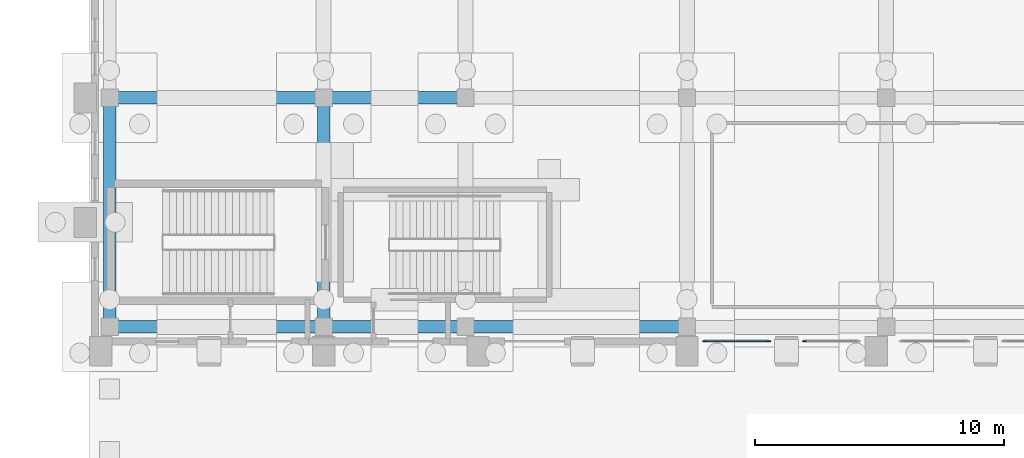
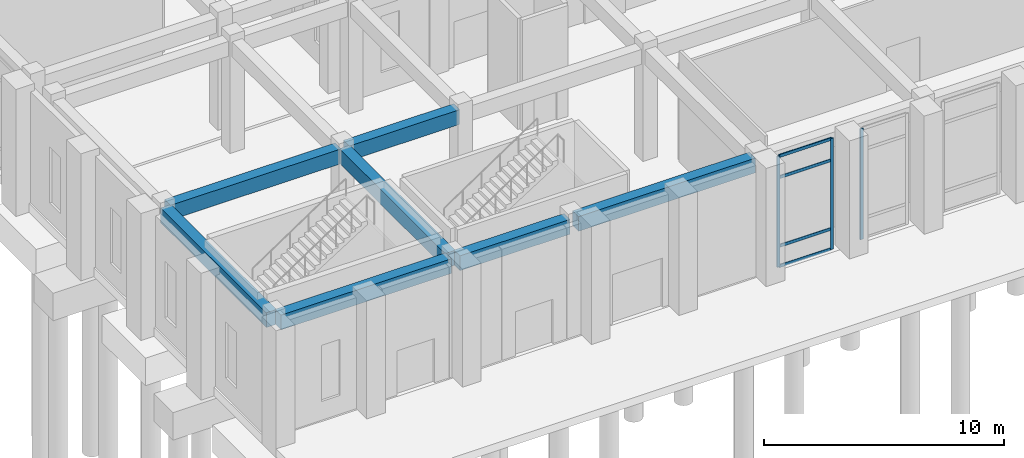
# One storey, part 21 of 143: 7 beams, 7 members, 2 elements without a shape of their own.
"""IFC4 building model written with IfcOpenShell, lengths in metres."""

from ifc_helpers import new_model, si_unit, derived_unit, direction, frame, origin, origin_2d, place, context, subcontext, project, spatial, rectangle, extrude, material, layer, layer_set, material_profile, profile_set, type_object, element, aggregate, save


model = new_model("IFC4")

# Units and contexts
model_context = context("Model", 3, precision=1e-05, world=origin(), true_north=direction((0.0, 1.0)))
body_context = subcontext(model_context, "Body", "Model", "MODEL_VIEW")
ifc_project = project(units=[si_unit("LENGTHUNIT", "METRE"), si_unit("AREAUNIT", "SQUARE_METRE"), si_unit("VOLUMEUNIT", "CUBIC_METRE"), si_unit("PLANEANGLEUNIT", "RADIAN"), si_unit("MASSUNIT", "GRAM", prefix="KILO"), derived_unit("THERMALTRANSMITTANCEUNIT", [(si_unit("MASSUNIT", "GRAM", prefix="KILO"), 1), (si_unit("TIMEUNIT", "SECOND"), -3), (si_unit("THERMODYNAMICTEMPERATUREUNIT", "KELVIN"), -1)])], contexts=[model_context])

# Site, building, storey
site_placement = place(None, origin())
site = spatial("IfcSite", under=ifc_project, at=site_placement, CompositionType="ELEMENT")
building_placement = place(site_placement, origin())
building = spatial("IfcBuilding", under=site, at=building_placement, Name="Valcora Ridge Arena", CompositionType="ELEMENT")
storey_placement = place(building_placement, origin())
storey = spatial("IfcBuildingStorey", under=building, at=storey_placement, Name="L00", CompositionType="ELEMENT", Elevation=0.0)

# Beams
ifc_material_1 = material(Name="Concrete C40/50", Category="concrete")
ifc_material_profile_1 = material_profile(ifc_material_1, rectangle(XDim=0.5, YDim=0.75, at=origin_2d()), Name="RC 500x750")
ifc_profile_set_1 = profile_set([ifc_material_profile_1], Name="Concrete C40/50")
beam_type_1 = type_object("IfcBeamType", Name="TY-BEAM-B-RC500-X", PredefinedType="BEAM", material=ifc_profile_set_1)
beam_1_placement = place(storey_placement, frame((1.0, 10.0, 5.264892578125), z_axis=(1.0, 0.0, 0.0), x_axis=(0.0, 1.0, 0.0)))
element("IfcBeam", 1, at=beam_1_placement, inside=storey, type_object=beam_type_1, Name="B-RC500-X BEM-B-RC500-X-0001", PredefinedType="BEAM", context=body_context, shape_type="SweptSolid", body=[
    extrude(rectangle(XDim=0.5, YDim=0.75, at=origin_2d()), origin(), (0.0, 0.0, 1.0), 8.199951171875),
])
beam_2_placement = place(storey_placement, frame((9.60009765625, 10.0, 5.264892578125), z_axis=(1.0, 0.0, 0.0), x_axis=(0.0, 1.0, 0.0)))
element("IfcBeam", 2, at=beam_2_placement, inside=storey, type_object=beam_type_1, Name="B-RC500-X BEM-B-RC500-X-0002", PredefinedType="BEAM", context=body_context, shape_type="SweptSolid", body=[
    extrude(rectangle(XDim=0.5, YDim=0.75, at=origin_2d()), origin(), (0.0, 0.0, 1.0), 5.2998046875),
])
ifc_material_profile_2 = material_profile(ifc_material_1, rectangle(XDim=0.5, YDim=0.75, at=origin_2d()), Name="RC 500x750")
ifc_profile_set_2 = profile_set([ifc_material_profile_2], Name="Concrete C40/50")
beam_type_2 = type_object("IfcBeamType", Name="TY-BEAM-B-RC500-Y", PredefinedType="BEAM", material=ifc_profile_set_2)
for number, where, z_axis, x_axis, name in (
    (3, (0.800048828125, 1.0, 5.264892578125), (0.0, 1.0, 0.0), (-1.0, 0.0, 0.0), "B-RC500-Y BEM-B-RC500-Y-0001"),
    (4, (9.39990234375, 1.0, 5.264892578125), (0.0, 1.0, 0.0), (-1.0, 0.0, 0.0), "B-RC500-Y BEM-B-RC500-Y-0009"),
):
    element("IfcBeam", number, at=place(storey_placement, frame(where, z_axis=z_axis, x_axis=x_axis)), inside=storey, type_object=beam_type_2, Name=name, PredefinedType="BEAM", context=body_context, shape_type="SweptSolid", body=[
        extrude(rectangle(XDim=0.5, YDim=0.75, at=origin_2d()), origin(), (0.0, 0.0, 1.0), 8.800048828125),
    ])
ifc_material_profile_3 = material_profile(ifc_material_1, rectangle(XDim=0.5, YDim=0.75, at=origin_2d()), Name="RC 500x750")
ifc_profile_set_3 = profile_set([ifc_material_profile_3], Name="Concrete C40/50")
beam_type_3 = type_object("IfcBeamType", Name="TY-BEAM-EB-RC500", PredefinedType="BEAM", material=ifc_profile_set_3)
beam_3_placement = place(storey_placement, frame((1.0, 0.800048828125, 5.264892578125), z_axis=(1.0, 0.0, 0.0), x_axis=(0.0, 1.0, 0.0)))
element("IfcBeam", 5, at=beam_3_placement, inside=storey, type_object=beam_type_3, Name="EB-RC500 BEM-EB-RC500-0001", PredefinedType="BEAM", context=body_context, shape_type="SweptSolid", body=[
    extrude(rectangle(XDim=0.5, YDim=0.75, at=origin_2d()), origin(), (0.0, 0.0, 1.0), 8.199951171875),
])
beam_4_placement = place(storey_placement, frame((9.60009765625, 0.800048828125, 5.264892578125), z_axis=(1.0, 0.0, 0.0), x_axis=(0.0, 1.0, 0.0)))
element("IfcBeam", 6, at=beam_4_placement, inside=storey, type_object=beam_type_3, Name="EB-RC500 BEM-EB-RC500-0002", PredefinedType="BEAM", context=body_context, shape_type="SweptSolid", body=[
    extrude(rectangle(XDim=0.5, YDim=0.75, at=origin_2d()), origin(), (0.0, 0.0, 1.0), 5.2998046875),
])
beam_5_placement = place(storey_placement, frame((15.300048828125, 0.800048828125, 5.264892578125), z_axis=(1.0, 0.0, 0.0), x_axis=(0.0, 1.0, 0.0)))
element("IfcBeam", 7, at=beam_5_placement, inside=storey, type_object=beam_type_3, Name="EB-RC500 BEM-EB-RC500-0003", PredefinedType="BEAM", context=body_context, shape_type="SweptSolid", body=[
    extrude(rectangle(XDim=0.5, YDim=0.75, at=origin_2d()), origin(), (0.0, 0.0, 1.0), 8.5),
])

# Curtain wall, members
ifc_material_2 = material(Name="Anodised dark bronze architectural aluminium 6063-T6", Category="aluminium")
ifc_layer_1 = layer(ifc_material_2, 0.14990234375, Name="Anodised dark bronze architectural aluminium 6063-T6")
ifc_layer_set_1 = layer_set([ifc_layer_1], Name="Anodised dark bronze architectural aluminium 6063-T6")
curtain_wall_type_1 = type_object("IfcCurtainWallType", Name="TY-CURTAINWALL-CW-V4-CLUB-026X56", PredefinedType="NOTDEFINED", material=ifc_layer_set_1)
curtain_wall_1_placement = place(storey_placement, origin())
curtain_wall_1 = element("IfcCurtainWall", 8, at=curtain_wall_1_placement, inside=storey, type_object=curtain_wall_type_1, Name="CW-V4-CLUB-026X56 CW-0184", PredefinedType="NOTDEFINED")
ifc_material_profile_4 = material_profile(ifc_material_2, rectangle(XDim=0.050048828125, YDim=0.14990234375, at=origin_2d()), Name="ALU MULLION 50x150")
ifc_profile_set_4 = profile_set([ifc_material_profile_4], Name="Anodised dark bronze architectural aluminium 6063-T6")
member_type_1 = type_object("IfcMemberType", Name="TY-MEM-CWM-50x150", PredefinedType="MULLION", material=ifc_profile_set_4)
member_1_placement = place(storey_placement, frame((24.715087890625, 0.219970703125, 0.0), z_axis=(0.0, 0.0, 1.0), x_axis=(0.0, 1.0, 0.0)))
member_1 = element("IfcMember", 9, at=member_1_placement, type_object=member_type_1, Name="CW-0184/CWM-50x150/M00", PredefinedType="MULLION", context=body_context, shape_type="SweptSolid", body=[
    extrude(rectangle(XDim=0.050048828125, YDim=0.14990234375, at=origin_2d()), origin(), (0.0, 0.0, 1.0), 5.639892578125),
])
member_2_placement = place(storey_placement, frame((27.284912109375, 0.219970703125, 0.0), z_axis=(0.0, 0.0, 1.0), x_axis=(0.0, 1.0, 0.0)))
member_2 = element("IfcMember", 10, at=member_2_placement, type_object=member_type_1, Name="CW-0184/CWM-50x150/M01", PredefinedType="MULLION", context=body_context, shape_type="SweptSolid", body=[
    extrude(rectangle(XDim=0.050048828125, YDim=0.14990234375, at=origin_2d()), origin(), (0.0, 0.0, 1.0), 5.639892578125),
])

# Curtain wall, member
ifc_layer_2 = layer(ifc_material_2, 0.14990234375, Name="Anodised dark bronze architectural aluminium 6063-T6")
ifc_layer_set_2 = layer_set([ifc_layer_2], Name="Anodised dark bronze architectural aluminium 6063-T6")
curtain_wall_type_2 = type_object("IfcCurtainWallType", Name="TY-CURTAINWALL-CW-V4-CLUB-022X56", PredefinedType="NOTDEFINED", material=ifc_layer_set_2)
curtain_wall_2_placement = place(storey_placement, origin())
curtain_wall_2 = element("IfcCurtainWall", 11, at=curtain_wall_2_placement, inside=storey, type_object=curtain_wall_type_2, Name="CW-V4-CLUB-022X56 CW-0185", PredefinedType="NOTDEFINED")
member_3_placement = place(storey_placement, frame((28.715087890625, 0.219970703125, 0.0), z_axis=(0.0, 0.0, 1.0), x_axis=(0.0, 1.0, 0.0)))
member_3 = element("IfcMember", 12, at=member_3_placement, type_object=member_type_1, Name="CW-0185/CWM-50x150/M00", PredefinedType="MULLION", context=body_context, shape_type="SweptSolid", body=[
    extrude(rectangle(XDim=0.050048828125, YDim=0.14990234375, at=origin_2d()), origin(), (0.0, 0.0, 1.0), 5.639892578125),
])
aggregate(curtain_wall_2, [member_3])

# Member
ifc_material_profile_5 = material_profile(ifc_material_2, rectangle(XDim=0.050048828125, YDim=0.14990234375, at=origin_2d()), Name="ALU TRANSOM 50x150")
ifc_profile_set_5 = profile_set([ifc_material_profile_5], Name="Anodised dark bronze architectural aluminium 6063-T6")
member_type_2 = type_object("IfcMemberType", Name="TY-MEM-CWT-50x150", PredefinedType="USERDEFINED", material=ifc_profile_set_5)
member_4_placement = place(storey_placement, frame((24.739990234375, 0.219970703125, 0.02490234375), z_axis=(1.0, 0.0, 0.0), x_axis=(0.0, 1.0, 0.0)))
member_4 = element("IfcMember", 13, at=member_4_placement, type_object=member_type_2, Name="CW-0184/CWT-50x150/T00-00", ObjectType="TRANSOM", PredefinedType="USERDEFINED", context=body_context, shape_type="SweptSolid", body=[
    extrude(rectangle(XDim=0.050048828125, YDim=0.14990234375, at=origin_2d()), origin(), (0.0, 0.0, 1.0), 2.52001953125),
])

member_5_placement = place(storey_placement, frame((24.739990234375, 0.219970703125, 1.050048828125), z_axis=(1.0, 0.0, 0.0), x_axis=(0.0, 1.0, 0.0)))
member_5 = element("IfcMember", 14, at=member_5_placement, type_object=member_type_2, Name="CW-0184/CWT-50x150/T00-01", ObjectType="TRANSOM", PredefinedType="USERDEFINED", context=body_context, shape_type="SweptSolid", body=[
    extrude(rectangle(XDim=0.050048828125, YDim=0.14990234375, at=origin_2d()), origin(), (0.0, 0.0, 1.0), 2.52001953125),
])

member_6_placement = place(storey_placement, frame((24.739990234375, 0.219970703125, 4.5400390625), z_axis=(1.0, 0.0, 0.0), x_axis=(0.0, 1.0, 0.0)))
member_6 = element("IfcMember", 15, at=member_6_placement, type_object=member_type_2, Name="CW-0184/CWT-50x150/T00-02", ObjectType="TRANSOM", PredefinedType="USERDEFINED", context=body_context, shape_type="SweptSolid", body=[
    extrude(rectangle(XDim=0.050048828125, YDim=0.14990234375, at=origin_2d()), origin(), (0.0, 0.0, 1.0), 2.52001953125),
])

member_7_placement = place(storey_placement, frame((24.739990234375, 0.219970703125, 5.614990234375), z_axis=(1.0, 0.0, 0.0), x_axis=(0.0, 1.0, 0.0)))
member_7 = element("IfcMember", 16, at=member_7_placement, type_object=member_type_2, Name="CW-0184/CWT-50x150/T00-03", ObjectType="TRANSOM", PredefinedType="USERDEFINED", context=body_context, shape_type="SweptSolid", body=[
    extrude(rectangle(XDim=0.050048828125, YDim=0.14990234375, at=origin_2d()), origin(), (0.0, 0.0, 1.0), 2.52001953125),
])

aggregate(curtain_wall_1, [member_1, member_2, member_4, member_5, member_6, member_7])

save(model, "model.ifc")
